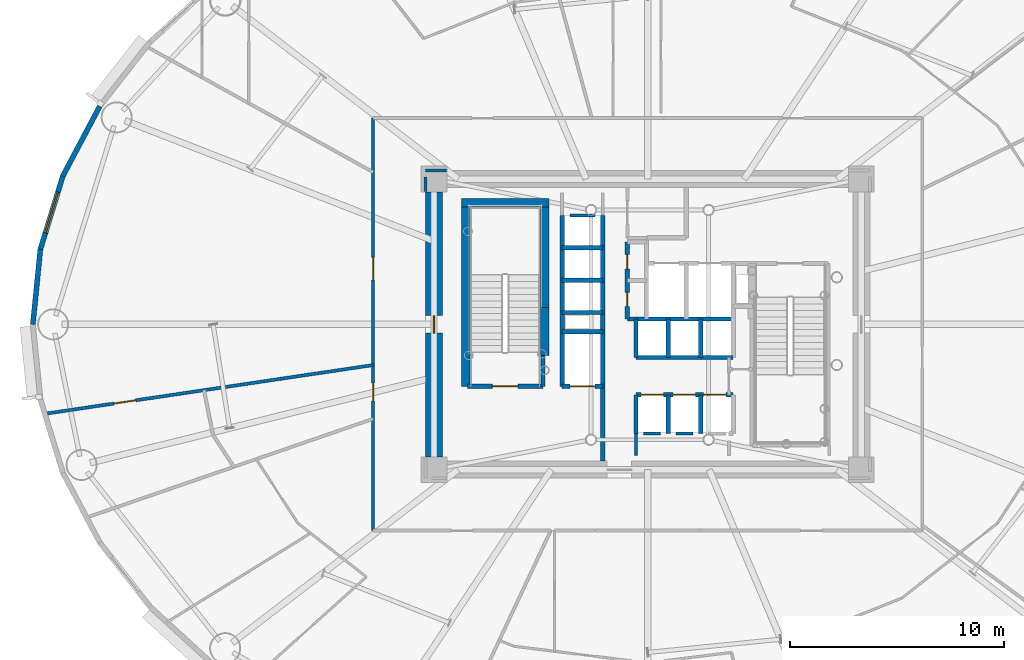
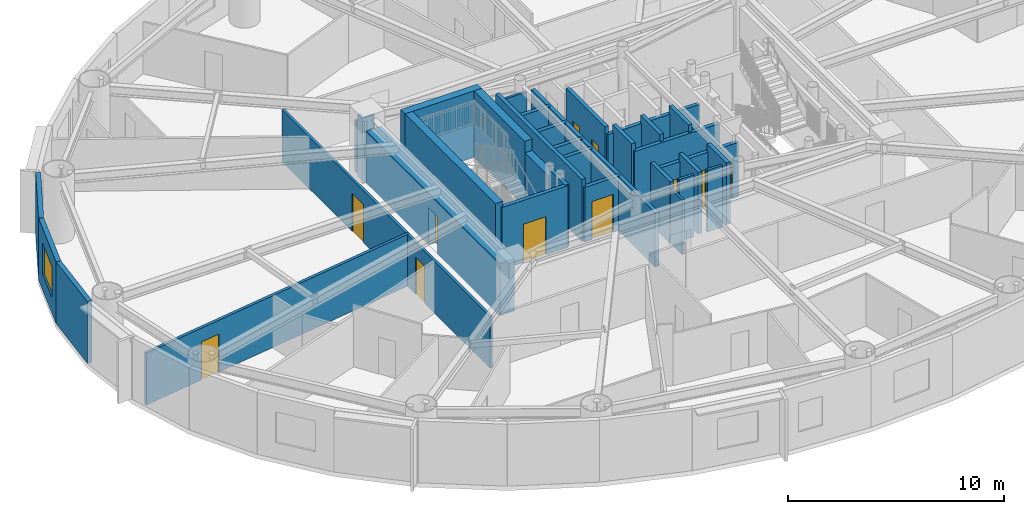
# One storey, part 12 of 21: 35 walls, 11 doors, 1 window, 12 openings.
"""IFC4 building model written with IfcOpenShell, lengths in metres."""

import ifcopenshell
import ifcopenshell.guid

model = None  # the IFC model being written
_history = None  # IfcOwnerHistory: only IFC2X3 demands one
_inside = {}  # id of a spatial element -> (the spatial element, [elements in it])
_under = {}  # id of a project, library or spatial element -> (it, [spatial elements below it])
_declared = {}  # id of a project -> (the project, [libraries it declares])
_typed = {}  # id of a type object -> (the type object, [elements of that type])
_made_of = {}  # id of a material, layer set ... -> (it, [elements and type objects made of it])


def new_model(schema):
    """Start an empty IFC model of exactly this schema.

    Asked for "IFC4X3", IfcOpenShell would pick the latest addendum, in which some entities
    have other attributes; the version numbers below select the first issue.
    IFC2X3 requires an IfcOwnerHistory on every rooted entity: one is made here for all.
    """
    global model, _history
    if schema == "IFC4X3":
        model = ifcopenshell.file(schema_version=(4, 3, 0, 0))
    else:
        model = ifcopenshell.file(schema=schema)
    _inside.clear()
    _under.clear()
    _declared.clear()
    _typed.clear()
    _made_of.clear()
    _history = None
    if model.schema == "IFC2X3":
        org = make("IfcOrganization", Name="unknown")
        user = make(
            "IfcPersonAndOrganization",
            ThePerson=make("IfcPerson", FamilyName="unknown"),
            TheOrganization=org,
        )
        app = make(
            "IfcApplication",
            ApplicationDeveloper=org,
            Version="unknown",
            ApplicationFullName="unknown",
            ApplicationIdentifier="unknown",
        )
        _history = make(
            "IfcOwnerHistory",
            OwningUser=user,
            OwningApplication=app,
            ChangeAction="ADDED",
            CreationDate=0,
        )
    return model


def make(cls, **values):
    """One entity of the class cls with the attributes given. An attribute that is None is left unset."""
    return model.create_entity(
        cls, **{name: value for name, value in values.items() if value is not None}
    )


def rooted(cls, **values):
    """An entity with a GlobalId (a new one), such as an element, a storey or a relation."""
    return make(cls, GlobalId=ifcopenshell.guid.new(), OwnerHistory=_history, **values)


def si_unit(unit_type, name, prefix=None):
    """IfcSIUnit, for example si_unit("LENGTHUNIT", "METRE", prefix="MILLI")."""
    return make("IfcSIUnit", UnitType=unit_type, Prefix=prefix, Name=name)


def assignment(units):
    """IfcUnitAssignment: the units of a project."""
    return None if units is None else make("IfcUnitAssignment", Units=units)


def point(xyz):
    """IfcCartesianPoint."""
    return None if xyz is None else make("IfcCartesianPoint", Coordinates=xyz)


def direction(xyz):
    """IfcDirection."""
    return None if xyz is None else make("IfcDirection", DirectionRatios=xyz)


def frame(location, z_axis=None, x_axis=None):
    """IfcAxis2Placement3D, a coordinate frame: its origin and axes. An axis left out is left unset."""
    return make(
        "IfcAxis2Placement3D",
        Location=point(location),
        Axis=direction(z_axis),
        RefDirection=direction(x_axis),
    )


def frame_2d(location, x_axis=None):
    """IfcAxis2Placement2D, a coordinate frame in the plane: its origin and x axis."""
    return make(
        "IfcAxis2Placement2D", Location=point(location), RefDirection=direction(x_axis)
    )


def origin():
    """The frame at (0, 0, 0) with its axes left unset."""
    return frame((0.0, 0.0, 0.0))


def origin_2d():
    """The frame at (0, 0) in the plane with its x axis left unset."""
    return frame_2d((0.0, 0.0))


def place(relative_to, where):
    """IfcLocalPlacement: puts the frame where relative to a parent placement (None: the world)."""
    return make(
        "IfcLocalPlacement", PlacementRelTo=relative_to, RelativePlacement=where
    )


def context(
    kind, dimensions, precision=None, world=None, true_north=None, identifier=None
):
    """IfcGeometricRepresentationContext, for example the 3D "Model" context."""
    return make(
        "IfcGeometricRepresentationContext",
        ContextIdentifier=identifier,
        ContextType=kind,
        CoordinateSpaceDimension=dimensions,
        Precision=precision,
        WorldCoordinateSystem=world,
        TrueNorth=true_north,
    )


def subcontext(parent, identifier, kind, view, scale=None):
    """IfcGeometricRepresentationSubContext, for example "Body" below "Model"."""
    return make(
        "IfcGeometricRepresentationSubContext",
        ContextIdentifier=identifier,
        ContextType=kind,
        ParentContext=parent,
        TargetScale=scale,
        TargetView=view,
    )


def project(units=None, contexts=None):
    """IfcProject with its units and contexts."""
    return rooted(
        "IfcProject",
        Name="project",
        RepresentationContexts=contexts,
        UnitsInContext=assignment(units),
    )


def spatial(cls, under=None, at=None, **own):
    """A site, building, storey or space (cls), placed at a placement, below another one or the project."""
    s = rooted(cls, ObjectPlacement=at, **own)
    if under is not None:
        _under.setdefault(under.id(), (under, []))[1].append(s)
    return s


def profile(cls, at=None, kind="AREA", **sizes):
    """A parametric profile (cls). Its sizes go by their IFC names, for example OverallWidth=200.0."""
    return make(cls, ProfileType=kind, Position=at, **sizes)


def rectangle(**sizes):
    """IfcRectangleProfileDef."""
    return profile("IfcRectangleProfileDef", **sizes)


def extrude(swept, where, along, depth):
    """IfcExtrudedAreaSolid: the profile swept, set in the frame where, extruded along a direction by depth."""
    return make(
        "IfcExtrudedAreaSolid",
        SweptArea=swept,
        Position=where,
        ExtrudedDirection=direction(along),
        Depth=depth,
    )


def shape(context_of_items, identifier, shape_type, items):
    """IfcShapeRepresentation: the items that make up one representation, for example the "Body"."""
    return make(
        "IfcShapeRepresentation",
        ContextOfItems=context_of_items,
        RepresentationIdentifier=identifier,
        RepresentationType=shape_type,
        Items=items,
    )


def source(mapping_origin, context_of_items, identifier, shape_type, items):
    """IfcRepresentationMap: a shape defined once, which mapped items show again and again."""
    return make(
        "IfcRepresentationMap",
        MappingOrigin=mapping_origin,
        MappedRepresentation=shape(context_of_items, identifier, shape_type, items),
    )


def transform(
    local_origin,
    x_axis=None,
    y_axis=None,
    z_axis=None,
    scale=None,
    scale2=None,
    scale3=None,
    uniform=True,
):
    """IfcCartesianTransformationOperator3D, or its non-uniform kind. x_axis, y_axis, z_axis: its Axis1, 2, 3."""
    if uniform:
        return make(
            "IfcCartesianTransformationOperator3D",
            Axis1=direction(x_axis),
            Axis2=direction(y_axis),
            LocalOrigin=point(local_origin),
            Scale=scale,
            Axis3=direction(z_axis),
        )
    return make(
        "IfcCartesianTransformationOperator3DnonUniform",
        Axis1=direction(x_axis),
        Axis2=direction(y_axis),
        LocalOrigin=point(local_origin),
        Scale=scale,
        Axis3=direction(z_axis),
        Scale2=scale2,
        Scale3=scale3,
    )


def mapped(mapping_source, mapping_target):
    """IfcMappedItem: shows the shape of a source again, moved by a transform."""
    return make(
        "IfcMappedItem", MappingSource=mapping_source, MappingTarget=mapping_target
    )


def material(Name=None, Category=None):
    """IfcMaterial."""
    return make("IfcMaterial", Name=Name, Category=Category)


def layer(
    of_material, thickness, ventilated=None, Name=None, Category=None, Priority=None
):
    """IfcMaterialLayer: one layer of a wall or slab, of a material (None: an air gap)."""
    return make(
        "IfcMaterialLayer",
        Material=of_material,
        LayerThickness=thickness,
        IsVentilated=ventilated,
        Name=Name,
        Category=Category,
        Priority=Priority,
    )


def layer_set(layers, Name=None):
    """IfcMaterialLayerSet."""
    return make("IfcMaterialLayerSet", MaterialLayers=layers, LayerSetName=Name)


def made_of(thing, what):
    """Note that an element or type object is made of a material, layer set ...; save() writes the relation."""
    if what is not None:
        _made_of.setdefault(what.id(), (what, []))[1].append(thing)
    return thing


def type_object(cls, material=None, **own):
    """A type object (cls), such as IfcWallType, which elements share."""
    return made_of(rooted(cls, **own), material)


def element(
    cls,
    number,
    at=None,
    inside=None,
    cuts=None,
    type_object=None,
    material=None,
    context=None,
    identifier="Body",
    shape_type=None,
    held_by="IfcProductDefinitionShape",
    body=None,
    shapes=None,
    **own,
):
    """One element of the class cls, such as IfcWall. Its Tag is "e" and its number.

    at: its placement. inside: the storey or other place that contains it. cuts: it is an
    opening in that element (IfcRelVoidsElement). A single representation is given by context,
    identifier, shape_type and body (its items); several are given by shapes. held_by: the class
    of the entity that holds the representations. save() writes the other relations.
    """
    e = rooted(cls, Tag="e%d" % number, ObjectPlacement=at, **own)
    if body is not None:
        shapes = [shape(context, identifier, shape_type, body)]
    if shapes is not None:
        e.Representation = make(held_by, Representations=shapes)
    if inside is not None:
        _inside.setdefault(inside.id(), (inside, []))[1].append(e)
    if cuts is not None:
        rooted(
            "IfcRelVoidsElement", RelatingBuildingElement=cuts, RelatedOpeningElement=e
        )
    if type_object is not None:
        _typed.setdefault(type_object.id(), (type_object, []))[1].append(e)
    return made_of(e, material)


def fill(opening, filler):
    """IfcRelFillsElement: the door or window that sits in an opening."""
    return rooted(
        "IfcRelFillsElement",
        RelatingOpeningElement=opening,
        RelatedBuildingElement=filler,
    )


def aggregate(whole, parts):
    """IfcRelAggregates: a whole, such as a stair, and the parts it consists of."""
    return rooted("IfcRelAggregates", RelatingObject=whole, RelatedObjects=parts)


def save(model, path):
    """Write the relations noted so far, then the file.

    IfcRelAggregates (storeys below a building ...), IfcRelContainedInSpatialStructure (elements
    in a storey), IfcRelDefinesByType, IfcRelAssociatesMaterial and IfcRelDeclares: one each for
    every whole, place, type object, material and project.
    """
    for whole, parts in _under.values():
        aggregate(whole, parts)
    for where, things in _inside.values():
        rooted(
            "IfcRelContainedInSpatialStructure",
            RelatedElements=things,
            RelatingStructure=where,
        )
    for kind, things in _typed.values():
        rooted("IfcRelDefinesByType", RelatedObjects=things, RelatingType=kind)
    for what, things in _made_of.values():
        rooted("IfcRelAssociatesMaterial", RelatedObjects=things, RelatingMaterial=what)
    for by, libraries in _declared.values():
        rooted("IfcRelDeclares", RelatingContext=by, RelatedDefinitions=libraries)
    model.write(path)


model = new_model("IFC4")

# Units and contexts
model_context = context("Model", 3, precision=1e-05, world=origin(), true_north=direction((0.0, 1.0)))
body_context = subcontext(model_context, "Body", "Model", "MODEL_VIEW")
ifc_project = project(units=[si_unit("LENGTHUNIT", "METRE"), si_unit("AREAUNIT", "SQUARE_METRE"), si_unit("VOLUMEUNIT", "CUBIC_METRE"), si_unit("PLANEANGLEUNIT", "RADIAN"), si_unit("MASSUNIT", "GRAM", prefix="KILO")], contexts=[model_context])

# Site, building, storey
site_placement = place(None, origin())
site = spatial("IfcSite", under=ifc_project, at=site_placement, CompositionType="ELEMENT")
building_placement = place(site_placement, origin())
building = spatial("IfcBuilding", under=site, at=building_placement, Name="Linh Dai School and Residence Tower", CompositionType="ELEMENT")
storey_placement = place(building_placement, frame((0.0, 0.0, 134.699951171875)))
storey = spatial("IfcBuildingStorey", under=building, at=storey_placement, Name="L32", CompositionType="ELEMENT", Elevation=134.699951171875)

# Wall
ifc_material_1 = material(Name="Precast Concrete B45 (C35/45)", Category="concrete")
ifc_layer_1 = layer(ifc_material_1, 0.239990234375)
ifc_layer_set_1 = layer_set([ifc_layer_1], Name="Precast Concrete B45 (C35/45)")
wall_type_1 = type_object("IfcWallType", Name="EW-TC-240", PredefinedType="SOLIDWALL", material=ifc_layer_set_1)
wall_1_placement = place(storey_placement, frame((8.6298828125, 33.945068359375, 0.0), z_axis=(0.0, 0.0, 1.0), x_axis=(0.467614004126, 0.883932770716, 0.0)))
element("IfcWall", 1, at=wall_1_placement, inside=storey, type_object=wall_type_1, Name="L32 Terracotta Exterior Wall 18", PredefinedType="SOLIDWALL", context=body_context, shape_type="SweptSolid", body=[
    extrude(rectangle(XDim=3.688720703125, YDim=0.239990234375, at=frame_2d((1.84423828125, 0.0))), origin(), (0.0, 0.0, 1.0), 3.5),
])

# Wall, opening, window
wall_2_placement = place(storey_placement, frame((7.578369140625, 30.515380859375, 0.0), z_axis=(0.0, 0.0, 1.0), x_axis=(0.293124431344, 0.956074300329, 0.0)))
wall_2 = element("IfcWall", 2, at=wall_2_placement, inside=storey, type_object=wall_type_1, Name="L32 Terracotta Exterior Wall 19", PredefinedType="SOLIDWALL", context=body_context, shape_type="SweptSolid", body=[
    extrude(rectangle(XDim=3.587158203125, YDim=0.239990234375, at=frame_2d((1.79345703125, 0.0))), origin(), (0.0, 0.0, 1.0), 3.5),
])
opening_1_placement = place(wall_2_placement, frame((0.793701171875, 0.0, 0.89990234375)))
opening_1 = element("IfcOpeningElement", 3, at=opening_1_placement, cuts=wall_2, Name="Opening W1", PredefinedType="OPENING", context=body_context, shape_type="SweptSolid", body=[
    extrude(rectangle(XDim=2.0, YDim=1.75, at=origin_2d()), frame((1.0, 0.1298828125, 0.875), z_axis=(0.0, -1.0, 0.0), x_axis=(1.0, 0.0, 0.0)), (0.0, 0.0, 1.0), 0.260009765625),
])
ifc_material_2 = material(Name="Double Low-E Insulated Glazing", Category="glass")
window_type = type_object("IfcWindowType", Name="WN-RES-2000x1750", PartitioningType="DOUBLE_PANEL_VERTICAL", PredefinedType="WINDOW", material=ifc_material_2)
shared_shape_1 = source(origin(), body_context, "Body", "SweptSolid", [
    extrude(rectangle(XDim=2.0, YDim=1.75, at=origin_2d()), frame((1.0, 0.030029296875, 0.875), z_axis=(0.0, -1.0, 0.0), x_axis=(1.0, 0.0, 0.0)), (0.0, 0.0, 1.0), 0.06005859375),
])
window_placement = place(opening_1_placement, origin())
window = element("IfcWindow", 4, at=window_placement, inside=storey, type_object=window_type, Name="L32 Exterior Window 19.1", OverallHeight=1.75, OverallWidth=2.0, PartitioningType="DOUBLE_PANEL_VERTICAL", PredefinedType="WINDOW", context=body_context, shape_type="MappedRepresentation", body=[
    mapped(shared_shape_1, transform((0.0, 0.0, 0.0), x_axis=(1.0, 0.0, 0.0), y_axis=(0.0, 1.0, 0.0), z_axis=(0.0, 0.0, 1.0), scale=1.0)),
])
fill(opening_1, window)

# Wall
wall_3_placement = place(storey_placement, frame((7.22509765625, 27.0, 0.0), z_axis=(0.0, 0.0, 1.0), x_axis=(0.099989468229, 0.994988495533, 0.0)))
element("IfcWall", 5, at=wall_3_placement, inside=storey, type_object=wall_type_1, Name="L32 Terracotta Exterior Wall 20", PredefinedType="SOLIDWALL", context=body_context, shape_type="SweptSolid", body=[
    extrude(rectangle(XDim=3.533203125, YDim=0.239990234375, at=frame_2d((1.7666015625, 0.0))), origin(), (0.0, 0.0, 1.0), 3.5),
])

# Wall, openings, doors
ifc_material_3 = material(Name="Autoclaved Aerated Concrete Blockwork", Category="masonry")
ifc_layer_2 = layer(ifc_material_3, 0.135009765625)
ifc_layer_set_2 = layer_set([ifc_layer_2], Name="Autoclaved Aerated Concrete Blockwork")
wall_type_2 = type_object("IfcWallType", Name="IW-CORR-135-EI90", PredefinedType="PARTITIONING", material=ifc_layer_set_2)
wall_4_placement = place(storey_placement, frame((23.14990234375, 17.35009765625, 0.0), z_axis=(0.0, 0.0, 1.0), x_axis=(0.0, 1.0, 0.0)))
wall_4 = element("IfcWall", 6, at=wall_4_placement, inside=storey, type_object=wall_type_2, Name="L32 Interior Partition Wall 015", PredefinedType="PARTITIONING", context=body_context, shape_type="SweptSolid", body=[
    extrude(rectangle(XDim=19.2998046875, YDim=0.135009765625, at=frame_2d((9.64990234375, 0.0))), origin(), (0.0, 0.0, 1.0), 2.93505859375),
])
opening_2_placement = place(wall_4_placement, frame((11.733154296875, 0.0, 0.0)))
opening_2 = element("IfcOpeningElement", 7, at=opening_2_placement, cuts=wall_4, Name="Opening D04", PredefinedType="OPENING", context=body_context, shape_type="SweptSolid", body=[
    extrude(rectangle(XDim=1.050048828125, YDim=2.14990234375, at=origin_2d()), frame((0.52490234375, 0.07763671875, 1.074951171875), z_axis=(0.0, -1.0, 0.0), x_axis=(1.0, 0.0, 0.0)), (0.0, 0.0, 1.0), 0.155029296875),
])
opening_3_placement = place(wall_4_placement, frame((6.07421875, 0.0, 0.0)))
opening_3 = element("IfcOpeningElement", 8, at=opening_3_placement, cuts=wall_4, Name="Opening D06", PredefinedType="OPENING", context=body_context, shape_type="SweptSolid", body=[
    extrude(rectangle(XDim=0.820068359375, YDim=2.10009765625, at=origin_2d()), frame((0.41015625, 0.07763671875, 1.050048828125), z_axis=(0.0, -1.0, 0.0), x_axis=(1.0, 0.0, 0.0)), (0.0, 0.0, 1.0), 0.155029296875),
])
ifc_material_4 = material(Name="Acoustic Vision-Panel Timber Classroom Door", Category="wood")
door_type_1 = type_object("IfcDoorType", Name="DR-SCH-1050x2150-FD60S", OperationType="NOTDEFINED", PredefinedType="DOOR", material=ifc_material_4)
shared_shape_2 = source(origin(), body_context, "Body", "SweptSolid", [
    extrude(rectangle(XDim=1.050048828125, YDim=2.14990234375, at=origin_2d()), frame((0.52490234375, 0.02490234375, 1.074951171875), z_axis=(0.0, -1.0, 0.0), x_axis=(1.0, 0.0, 0.0)), (0.0, 0.0, 1.0), 0.050048828125),
])
door_1_placement = place(opening_2_placement, origin())
door_1 = element("IfcDoor", 9, at=door_1_placement, inside=storey, type_object=door_type_1, Name="L32 Fitness and Yoga Room Door", OperationType="SINGLE_SWING_LEFT", OverallHeight=2.14990234375, OverallWidth=1.050048828125, PredefinedType="DOOR", context=body_context, shape_type="MappedRepresentation", body=[
    mapped(shared_shape_2, transform((0.0, 0.0, 0.0), x_axis=(1.0, 0.0, 0.0), y_axis=(0.0, 1.0, 0.0), z_axis=(0.0, 0.0, 1.0), scale=1.0)),
])
fill(opening_2, door_1)
ifc_material_5 = material(Name="Moisture-Resistant Timber Bathroom Door", Category="wood")
door_type_2 = type_object("IfcDoorType", Name="DR-WET-820x2100", OperationType="NOTDEFINED", PredefinedType="DOOR", material=ifc_material_5)
shared_shape_3 = source(origin(), body_context, "Body", "SweptSolid", [
    extrude(rectangle(XDim=0.820068359375, YDim=2.10009765625, at=origin_2d()), frame((0.41015625, 0.02490234375, 1.050048828125), z_axis=(0.0, -1.0, 0.0), x_axis=(1.0, 0.0, 0.0)), (0.0, 0.0, 1.0), 0.050048828125),
])
door_2_placement = place(opening_3_placement, origin())
door_2 = element("IfcDoor", 10, at=door_2_placement, inside=storey, type_object=door_type_2, Name="L32 Amenity Accessible WC Door", OperationType="SINGLE_SWING_RIGHT", OverallHeight=2.10009765625, OverallWidth=0.820068359375, PredefinedType="DOOR", context=body_context, shape_type="MappedRepresentation", body=[
    mapped(shared_shape_3, transform((0.0, 0.0, 0.0), x_axis=(1.0, 0.0, 0.0), y_axis=(0.0, 1.0, 0.0), z_axis=(0.0, 0.0, 1.0), scale=1.0)),
])
fill(opening_3, door_2)

# Walls
wall_5_placement = place(storey_placement, frame((36.60009765625, 21.89990234375, 0.0), z_axis=(0.0, 0.0, 1.0), x_axis=(-1.0, 0.0, 0.0)))
element("IfcWall", 11, at=wall_5_placement, inside=storey, type_object=wall_type_2, Name="L32 Interior Partition Wall 094", PredefinedType="PARTITIONING", context=body_context, shape_type="SweptSolid", body=[
    extrude(rectangle(XDim=0.7900390625, YDim=0.135009765625, at=frame_2d((0.39501953125, 0.0))), origin(), (0.0, 0.0, 1.0), 3.5),
])
wall_6_placement = place(storey_placement, frame((38.1201171875, 21.89990234375, 0.0), z_axis=(0.0, 0.0, 1.0), x_axis=(-1.0, 0.0, 0.0)))
element("IfcWall", 12, at=wall_6_placement, inside=storey, type_object=wall_type_2, Name="L32 Interior Partition Wall 095", PredefinedType="PARTITIONING", context=body_context, shape_type="SweptSolid", body=[
    extrude(rectangle(XDim=0.800048828125, YDim=0.135009765625, at=frame_2d((0.39990234375, 0.0))), origin(), (0.0, 0.0, 1.0), 3.5),
])
wall_7_placement = place(storey_placement, frame((32.360107421875, 32.10009765625, 0.0), z_axis=(0.0, 0.0, 1.0), x_axis=(1.0, 0.0, 0.0)))
element("IfcWall", 13, at=wall_7_placement, inside=storey, type_object=wall_type_2, Name="L32 Interior Partition Wall 097", PredefinedType="PARTITIONING", context=body_context, shape_type="SweptSolid", body=[
    extrude(rectangle(XDim=1.179931640625, YDim=0.135009765625, at=frame_2d((0.58984375, 0.0))), origin(), (0.0, 0.0, 1.0), 3.0849609375),
])
wall_8_placement = place(storey_placement, frame((35.449951171875, 21.889892578125, 0.0), z_axis=(0.0, 0.0, 1.0), x_axis=(0.0, -1.0, 0.0)))
element("IfcWall", 14, at=wall_8_placement, inside=storey, type_object=wall_type_2, Name="L32 Interior Partition Wall 101", PredefinedType="PARTITIONING", context=body_context, shape_type="SweptSolid", body=[
    extrude(rectangle(XDim=1.02978515625, YDim=0.135009765625, at=frame_2d((0.514892578125, 0.0))), origin(), (0.0, 0.0, 1.0), 3.0849609375),
])
wall_9_placement = place(storey_placement, frame((26.590087890625, 34.199951171875, 0.0), z_axis=(0.0, 0.0, 1.0), x_axis=(-1.0, 0.0, 0.0)))
element("IfcWall", 15, at=wall_9_placement, inside=storey, type_object=wall_type_2, Name="L32 Interior Partition Wall 106", PredefinedType="PARTITIONING", context=body_context, shape_type="SweptSolid", body=[
    extrude(rectangle(XDim=0.989990234375, YDim=0.135009765625, at=frame_2d((0.4951171875, 0.0))), origin(), (0.0, 0.0, 1.0), 2.93505859375),
])
wall_10_placement = place(storey_placement, frame((25.60009765625, 33.892578125, 0.0), z_axis=(0.0, 0.0, 1.0), x_axis=(0.0, -1.0, 0.0)))
element("IfcWall", 16, at=wall_10_placement, inside=storey, type_object=wall_type_2, Name="L32 Interior Partition Wall 107", PredefinedType="PARTITIONING", context=body_context, shape_type="SweptSolid", body=[
    extrude(rectangle(XDim=0.6826171875, YDim=0.135009765625, at=frame_2d((0.34130859375, 0.0))), origin(), (0.0, 0.0, 1.0), 3.5),
])

# Wall, opening, door
ifc_layer_3 = layer(ifc_material_3, 0.14990234375)
ifc_layer_set_3 = layer_set([ifc_layer_3], Name="Autoclaved Aerated Concrete Blockwork")
wall_type_3 = type_object("IfcWallType", Name="IW-SCH-150-EI60", PredefinedType="PARTITIONING", material=ifc_layer_set_3)
wall_11_placement = place(storey_placement, frame((7.779296875, 22.8125, 0.0), z_axis=(0.0, 0.0, 1.0), x_axis=(0.989169524168, 0.146777561148, 0.0)))
wall_11 = element("IfcWall", 17, at=wall_11_placement, inside=storey, type_object=wall_type_3, Name="L32 Interior Partition Wall 001", PredefinedType="PARTITIONING", context=body_context, shape_type="SweptSolid", body=[
    extrude(rectangle(XDim=15.538818359375, YDim=0.14990234375, at=frame_2d((7.76953125, 0.0))), origin(), (0.0, 0.0, 1.0), 2.93505859375),
])
opening_4_placement = place(wall_11_placement, frame((3.264892578125, 0.0, 0.0)))
opening_4 = element("IfcOpeningElement", 18, at=opening_4_placement, cuts=wall_11, Name="Opening D04", PredefinedType="OPENING", context=body_context, shape_type="SweptSolid", body=[
    extrude(rectangle(XDim=1.050048828125, YDim=2.14990234375, at=origin_2d()), frame((0.52490234375, 0.0849609375, 1.074951171875), z_axis=(0.0, -1.0, 0.0), x_axis=(1.0, 0.0, 0.0)), (0.0, 0.0, 1.0), 0.169921875),
])
door_3_placement = place(opening_4_placement, origin())
door_3 = element("IfcDoor", 19, at=door_3_placement, inside=storey, type_object=door_type_1, Name="L32 Amenity Tea Salon Door", OperationType="SINGLE_SWING_LEFT", OverallHeight=2.14990234375, OverallWidth=1.050048828125, PredefinedType="DOOR", context=body_context, shape_type="MappedRepresentation", body=[
    mapped(shared_shape_2, transform((0.0, 0.0, 0.0), x_axis=(1.0, 0.0, 0.0), y_axis=(0.0, 1.0, 0.0), z_axis=(0.0, 0.0, 1.0), scale=1.0)),
])
fill(opening_4, door_3)

ifc_material_6 = material(Name="Concrete B45 (C35/45)", Category="concrete")
ifc_layer_4 = layer(ifc_material_6, 0.199951171875)
ifc_layer_set_4 = layer_set([ifc_layer_4], Name="Concrete B45 (C35/45)")
wall_type_4 = type_object("IfcWallType", Name="IW-SHAFT-200-EI120", PredefinedType="PARTITIONING", material=ifc_layer_set_4)
wall_12_placement = place(storey_placement, frame((27.56005859375, 24.10009765625, 0.0), z_axis=(0.0, 0.0, 1.0), x_axis=(1.0, 0.0, 0.0)))
wall_12 = element("IfcWall", 20, at=wall_12_placement, inside=storey, type_object=wall_type_4, Name="L32 Interior Partition Wall 020", PredefinedType="PARTITIONING", context=body_context, shape_type="SweptSolid", body=[
    extrude(rectangle(XDim=3.5400390625, YDim=0.199951171875, at=frame_2d((1.77001953125, 0.0))), origin(), (0.0, 0.0, 1.0), 3.5),
])
opening_5_placement = place(wall_12_placement, frame((1.169921875, 0.0, 0.0)))
opening_5 = element("IfcOpeningElement", 21, at=opening_5_placement, cuts=wall_12, Name="Opening D01", PredefinedType="OPENING", context=body_context, shape_type="SweptSolid", body=[
    extrude(rectangle(XDim=1.199951171875, YDim=2.14990234375, at=origin_2d()), frame((0.60009765625, 0.10986328125, 1.074951171875), z_axis=(0.0, -1.0, 0.0), x_axis=(1.0, 0.0, 0.0)), (0.0, 0.0, 1.0), 0.219970703125),
])
ifc_material_7 = material(Name="Fire-Rated Steel Door Leaf", Category="steel")
door_type_3 = type_object("IfcDoorType", Name="DR-STAIR-1200x2150-FD90S", OperationType="NOTDEFINED", PredefinedType="DOOR", material=ifc_material_7)
shared_shape_4 = source(origin(), body_context, "Body", "SweptSolid", [
    extrude(rectangle(XDim=1.199951171875, YDim=2.14990234375, at=origin_2d()), frame((0.60009765625, 0.02490234375, 1.074951171875), z_axis=(0.0, -1.0, 0.0), x_axis=(1.0, 0.0, 0.0)), (0.0, 0.0, 1.0), 0.050048828125),
])
door_4_placement = place(opening_5_placement, origin())
door_4 = element("IfcDoor", 22, at=door_4_placement, inside=storey, type_object=door_type_3, Name="L32 Core Smokeproof Exit Stair ST1 Door", OperationType="SINGLE_SWING_LEFT", OverallHeight=2.14990234375, OverallWidth=1.199951171875, PredefinedType="DOOR", context=body_context, shape_type="MappedRepresentation", body=[
    mapped(shared_shape_4, transform((0.0, 0.0, 0.0), x_axis=(1.0, 0.0, 0.0), y_axis=(0.0, 1.0, 0.0), z_axis=(0.0, 0.0, 1.0), scale=1.0)),
])
fill(opening_5, door_4)

# Walls
wall_13_placement = place(storey_placement, frame((31.10009765625, 24.10009765625, 0.0), z_axis=(0.0, 0.0, 1.0), x_axis=(0.0, 1.0, 0.0)))
element("IfcWall", 23, at=wall_13_placement, inside=storey, type_object=wall_type_4, Name="L32 Interior Partition Wall 025", PredefinedType="PARTITIONING", context=body_context, shape_type="SweptSolid", body=[
    extrude(rectangle(XDim=1.43994140625, YDim=0.199951171875, at=frame_2d((0.719970703125, 0.0))), origin(), (0.0, 0.0, 1.0), 3.5),
])
wall_14_placement = place(storey_placement, frame((32.0, 24.10009765625, 0.0), z_axis=(0.0, 0.0, 1.0), x_axis=(0.0, 1.0, 0.0)))
element("IfcWall", 24, at=wall_14_placement, inside=storey, type_object=wall_type_4, Name="L32 Interior Partition Wall 028", PredefinedType="PARTITIONING", context=body_context, shape_type="SweptSolid", body=[
    extrude(rectangle(XDim=8.0, YDim=0.199951171875, at=frame_2d((4.0, 0.0))), origin(), (0.0, 0.0, 1.0), 3.5),
])

# Wall, opening, door
wall_15_placement = place(storey_placement, frame((32.0, 24.10009765625, 0.0), z_axis=(0.0, 0.0, 1.0), x_axis=(1.0, 0.0, 0.0)))
wall_15 = element("IfcWall", 25, at=wall_15_placement, inside=storey, type_object=wall_type_4, Name="L32 Interior Partition Wall 029", PredefinedType="PARTITIONING", context=body_context, shape_type="SweptSolid", body=[
    extrude(rectangle(XDim=1.89990234375, YDim=0.199951171875, at=frame_2d((0.949951171875, 0.0))), origin(), (0.0, 0.0, 1.0), 3.0849609375),
])
opening_6_placement = place(wall_15_placement, frame((0.375, 0.0, 0.0)))
opening_6 = element("IfcOpeningElement", 26, at=opening_6_placement, cuts=wall_15, Name="Opening LD-FF2", PredefinedType="OPENING", context=body_context, shape_type="SweptSolid", body=[
    extrude(rectangle(XDim=1.14990234375, YDim=2.14990234375, at=origin_2d()), frame((0.574951171875, 0.10986328125, 1.074951171875), z_axis=(0.0, -1.0, 0.0), x_axis=(1.0, 0.0, 0.0)), (0.0, 0.0, 1.0), 0.219970703125),
])
ifc_material_8 = material(Name="Fire-Rated Stainless Steel Firefighting Lift Door", Category="steel")
door_type_4 = type_object("IfcDoorType", Name="DR-LD-FF-1150x2150-FD120", OperationType="DOUBLE_DOOR_SLIDING", PredefinedType="USERDEFINED", material=ifc_material_8)
shared_shape_5 = source(origin(), body_context, "Body", "SweptSolid", [
    extrude(rectangle(XDim=1.14990234375, YDim=2.14990234375, at=origin_2d()), frame((0.574951171875, 0.02490234375, 1.074951171875), z_axis=(0.0, -1.0, 0.0), x_axis=(1.0, 0.0, 0.0)), (0.0, 0.0, 1.0), 0.050048828125),
])
door_5_placement = place(opening_6_placement, origin())
door_5 = element("IfcDoor", 27, at=door_5_placement, inside=storey, type_object=door_type_4, Name="L32 Lift FF2 Sliding Landing Door", ObjectType="LANDING DOOR", OperationType="DOUBLE_DOOR_SLIDING", OverallHeight=2.14990234375, OverallWidth=1.14990234375, PredefinedType="USERDEFINED", context=body_context, shape_type="MappedRepresentation", body=[
    mapped(shared_shape_5, transform((0.0, 0.0, 0.0), x_axis=(1.0, 0.0, 0.0), y_axis=(0.0, 1.0, 0.0), z_axis=(0.0, 0.0, 1.0), scale=1.0)),
])
fill(opening_6, door_5)

# Walls
for number, where, z_axis, x_axis, name in (
    (28, (32.0, 26.64990234375, 0.0), (0.0, 0.0, 1.0), (1.0, 0.0, 0.0), "L32 Interior Partition Wall 030"),
    (29, (32.0, 27.550048828125, 0.0), (0.0, 0.0, 1.0), (1.0, 0.0, 0.0), "L32 Interior Partition Wall 031"),
    (30, (32.0, 29.06005859375, 0.0), (0.0, 0.0, 1.0), (1.0, 0.0, 0.0), "L32 Interior Partition Wall 032"),
    (31, (32.0, 30.580078125, 0.0), (0.0, 0.0, 1.0), (1.0, 0.0, 0.0), "L32 Interior Partition Wall 033"),
):
    element("IfcWall", number, at=place(storey_placement, frame(where, z_axis=z_axis, x_axis=x_axis)), inside=storey, type_object=wall_type_4, Name=name, PredefinedType="PARTITIONING", context=body_context, shape_type="SweptSolid", body=[
        extrude(rectangle(XDim=1.89990234375, YDim=0.199951171875, at=frame_2d((0.949951171875, 0.0))), origin(), (0.0, 0.0, 1.0), 3.0849609375),
    ])
wall_16_placement = place(storey_placement, frame((33.89990234375, 20.60009765625, 0.0), z_axis=(0.0, 0.0, 1.0), x_axis=(0.0, 1.0, 0.0)))
element("IfcWall", 32, at=wall_16_placement, inside=storey, type_object=wall_type_4, Name="L32 Interior Partition Wall 035", PredefinedType="PARTITIONING", context=body_context, shape_type="SweptSolid", body=[
    extrude(rectangle(XDim=11.5, YDim=0.199951171875, at=frame_2d((5.75, 0.0))), origin(), (0.0, 0.0, 1.0), 3.0849609375),
])

# Wall, openings, doors
wall_17_placement = place(storey_placement, frame((35.050048828125, 27.25, 0.0), z_axis=(0.0, 0.0, 1.0), x_axis=(0.0, 1.0, 0.0)))
wall_17 = element("IfcWall", 33, at=wall_17_placement, inside=storey, type_object=wall_type_4, Name="L32 Interior Partition Wall 037", PredefinedType="PARTITIONING", context=body_context, shape_type="SweptSolid", body=[
    extrude(rectangle(XDim=3.60009765625, YDim=0.199951171875, at=frame_2d((1.800048828125, 0.0))), origin(), (0.0, 0.0, 1.0), 3.5),
])
opening_7_placement = place(wall_17_placement, frame((0.590087890625, 0.0, 0.0)))
opening_7 = element("IfcOpeningElement", 34, at=opening_7_placement, cuts=wall_17, Name="Opening AD1", PredefinedType="OPENING", context=body_context, shape_type="SweptSolid", body=[
    extrude(rectangle(XDim=0.659912109375, YDim=2.050048828125, at=origin_2d()), frame((0.330078125, 0.10986328125, 1.02490234375), z_axis=(0.0, -1.0, 0.0), x_axis=(1.0, 0.0, 0.0)), (0.0, 0.0, 1.0), 0.219970703125),
])
opening_8_placement = place(wall_17_placement, frame((2.35009765625, 0.0, 0.0)))
opening_8 = element("IfcOpeningElement", 35, at=opening_8_placement, cuts=wall_17, Name="Opening AD1", PredefinedType="OPENING", context=body_context, shape_type="SweptSolid", body=[
    extrude(rectangle(XDim=0.659912109375, YDim=2.050048828125, at=origin_2d()), frame((0.330078125, 0.10986328125, 1.02490234375), z_axis=(0.0, -1.0, 0.0), x_axis=(1.0, 0.0, 0.0)), (0.0, 0.0, 1.0), 0.219970703125),
])
ifc_material_9 = material(Name="Fire-Rated Steel Riser Access Door", Category="steel")
door_type_5 = type_object("IfcDoorType", Name="DR-ACC-660x2050-FD90S", OperationType="NOTDEFINED", PredefinedType="USERDEFINED", material=ifc_material_9)
shared_shape_6 = source(origin(), body_context, "Body", "SweptSolid", [
    extrude(rectangle(XDim=0.659912109375, YDim=2.050048828125, at=origin_2d()), frame((0.330078125, 0.02490234375, 1.02490234375), z_axis=(0.0, -1.0, 0.0), x_axis=(1.0, 0.0, 0.0)), (0.0, 0.0, 1.0), 0.050048828125),
])
door_6_placement = place(opening_7_placement, origin())
door_6 = element("IfcDoor", 36, at=door_6_placement, inside=storey, type_object=door_type_5, Name="L32 Telecom and Data Riser Access Door", ObjectType="ACCESS DOOR", OperationType="SINGLE_SWING_RIGHT", OverallHeight=2.050048828125, OverallWidth=0.659912109375, PredefinedType="USERDEFINED", context=body_context, shape_type="MappedRepresentation", body=[
    mapped(shared_shape_6, transform((0.0, 0.0, 0.0), x_axis=(1.0, 0.0, 0.0), y_axis=(0.0, 1.0, 0.0), z_axis=(0.0, 0.0, 1.0), scale=1.0)),
])
fill(opening_7, door_6)
door_7_placement = place(opening_8_placement, origin())
door_7 = element("IfcDoor", 37, at=door_7_placement, inside=storey, type_object=door_type_5, Name="L32 Mechanical and Plumbing Riser Access Door", ObjectType="ACCESS DOOR", OperationType="SINGLE_SWING_LEFT", OverallHeight=2.050048828125, OverallWidth=0.659912109375, PredefinedType="USERDEFINED", context=body_context, shape_type="MappedRepresentation", body=[
    mapped(shared_shape_6, transform((0.0, 0.0, 0.0), x_axis=(1.0, 0.0, 0.0), y_axis=(0.0, 1.0, 0.0), z_axis=(0.0, 0.0, 1.0), scale=1.0)),
])
fill(opening_8, door_7)

# Walls
wall_18_placement = place(storey_placement, frame((35.050048828125, 27.25, 0.0), z_axis=(0.0, 0.0, 1.0), x_axis=(1.0, 0.0, 0.0)))
element("IfcWall", 38, at=wall_18_placement, inside=storey, type_object=wall_type_4, Name="L32 Interior Partition Wall 038", PredefinedType="PARTITIONING", context=body_context, shape_type="SweptSolid", body=[
    extrude(rectangle(XDim=4.949951171875, YDim=0.199951171875, at=frame_2d((2.47509765625, 0.0))), origin(), (0.0, 0.0, 1.0), 3.0849609375),
])
wall_19_placement = place(storey_placement, frame((35.449951171875, 21.89990234375, 0.0), z_axis=(0.0, 0.0, 1.0), x_axis=(0.0, 1.0, 0.0)))
element("IfcWall", 39, at=wall_19_placement, inside=storey, type_object=wall_type_4, Name="L32 Interior Partition Wall 043", PredefinedType="PARTITIONING", context=body_context, shape_type="SweptSolid", body=[
    extrude(rectangle(XDim=1.800048828125, YDim=0.199951171875, at=frame_2d((0.89990234375, 0.0))), origin(), (0.0, 0.0, 1.0), 3.5),
])

# Wall, openings, doors
wall_20_placement = place(storey_placement, frame((35.449951171875, 23.699951171875, 0.0), z_axis=(0.0, 0.0, 1.0), x_axis=(1.0, 0.0, 0.0)))
wall_20 = element("IfcWall", 40, at=wall_20_placement, inside=storey, type_object=wall_type_4, Name="L32 Interior Partition Wall 044", PredefinedType="PARTITIONING", context=body_context, shape_type="SweptSolid", body=[
    extrude(rectangle(XDim=4.550048828125, YDim=0.199951171875, at=frame_2d((2.27490234375, 0.0))), origin(), (0.0, 0.0, 1.0), 3.0849609375),
])
opening_9_placement = place(wall_20_placement, frame((0.25, 0.0, 0.0)))
opening_9 = element("IfcOpeningElement", 41, at=opening_9_placement, cuts=wall_20, Name="Opening LD-PL1", PredefinedType="OPENING", context=body_context, shape_type="SweptSolid", body=[
    extrude(rectangle(XDim=1.050048828125, YDim=2.14990234375, at=origin_2d()), frame((0.52490234375, 0.10986328125, 1.074951171875), z_axis=(0.0, -1.0, 0.0), x_axis=(1.0, 0.0, 0.0)), (0.0, 0.0, 1.0), 0.219970703125),
])
opening_10_placement = place(wall_20_placement, frame((1.7451171875, 0.0, 0.0)))
opening_10 = element("IfcOpeningElement", 42, at=opening_10_placement, cuts=wall_20, Name="Opening LD-PL2", PredefinedType="OPENING", context=body_context, shape_type="SweptSolid", body=[
    extrude(rectangle(XDim=1.050048828125, YDim=2.14990234375, at=origin_2d()), frame((0.52490234375, 0.10986328125, 1.074951171875), z_axis=(0.0, -1.0, 0.0), x_axis=(1.0, 0.0, 0.0)), (0.0, 0.0, 1.0), 0.219970703125),
])
opening_11_placement = place(wall_20_placement, frame((3.1650390625, 0.0, 0.0)))
opening_11 = element("IfcOpeningElement", 43, at=opening_11_placement, cuts=wall_20, Name="Opening LD-PL3", PredefinedType="OPENING", context=body_context, shape_type="SweptSolid", body=[
    extrude(rectangle(XDim=1.050048828125, YDim=2.14990234375, at=origin_2d()), frame((0.52490234375, 0.10986328125, 1.074951171875), z_axis=(0.0, -1.0, 0.0), x_axis=(1.0, 0.0, 0.0)), (0.0, 0.0, 1.0), 0.219970703125),
])
ifc_material_10 = material(Name="Brushed Stainless Steel Lift Landing Door", Category="steel")
door_type_6 = type_object("IfcDoorType", Name="DR-LD-PASS-1050x2150", OperationType="DOUBLE_DOOR_SLIDING", PredefinedType="USERDEFINED", material=ifc_material_10)
shared_shape_7 = source(origin(), body_context, "Body", "SweptSolid", [
    extrude(rectangle(XDim=1.050048828125, YDim=2.14990234375, at=origin_2d()), frame((0.52490234375, 0.02490234375, 1.074951171875), z_axis=(0.0, -1.0, 0.0), x_axis=(1.0, 0.0, 0.0)), (0.0, 0.0, 1.0), 0.050048828125),
])
door_8_placement = place(opening_9_placement, origin())
door_8 = element("IfcDoor", 44, at=door_8_placement, inside=storey, type_object=door_type_6, Name="L32 Lift PL1 Sliding Landing Door", ObjectType="LANDING DOOR", OperationType="DOUBLE_DOOR_SLIDING", OverallHeight=2.14990234375, OverallWidth=1.050048828125, PredefinedType="USERDEFINED", context=body_context, shape_type="MappedRepresentation", body=[
    mapped(shared_shape_7, transform((0.0, 0.0, 0.0), x_axis=(1.0, 0.0, 0.0), y_axis=(0.0, 1.0, 0.0), z_axis=(0.0, 0.0, 1.0), scale=1.0)),
])
fill(opening_9, door_8)
door_9_placement = place(opening_10_placement, origin())
door_9 = element("IfcDoor", 45, at=door_9_placement, inside=storey, type_object=door_type_6, Name="L32 Lift PL2 Sliding Landing Door", ObjectType="LANDING DOOR", OperationType="DOUBLE_DOOR_SLIDING", OverallHeight=2.14990234375, OverallWidth=1.050048828125, PredefinedType="USERDEFINED", context=body_context, shape_type="MappedRepresentation", body=[
    mapped(shared_shape_7, transform((0.0, 0.0, 0.0), x_axis=(1.0, 0.0, 0.0), y_axis=(0.0, 1.0, 0.0), z_axis=(0.0, 0.0, 1.0), scale=1.0)),
])
fill(opening_10, door_9)
door_10_placement = place(opening_11_placement, origin())
door_10 = element("IfcDoor", 46, at=door_10_placement, inside=storey, type_object=door_type_6, Name="L32 Lift PL3 Sliding Landing Door", ObjectType="LANDING DOOR", OperationType="DOUBLE_DOOR_SLIDING", OverallHeight=2.14990234375, OverallWidth=1.050048828125, PredefinedType="USERDEFINED", context=body_context, shape_type="MappedRepresentation", body=[
    mapped(shared_shape_7, transform((0.0, 0.0, 0.0), x_axis=(1.0, 0.0, 0.0), y_axis=(0.0, 1.0, 0.0), z_axis=(0.0, 0.0, 1.0), scale=1.0)),
])
fill(opening_11, door_10)

# Walls
wall_21_placement = place(storey_placement, frame((35.449951171875, 25.449951171875, 0.0), z_axis=(0.0, 0.0, 1.0), x_axis=(0.0, 1.0, 0.0)))
element("IfcWall", 47, at=wall_21_placement, inside=storey, type_object=wall_type_4, Name="L32 Interior Partition Wall 045", PredefinedType="PARTITIONING", context=body_context, shape_type="SweptSolid", body=[
    extrude(rectangle(XDim=1.800048828125, YDim=0.199951171875, at=frame_2d((0.89990234375, 0.0))), origin(), (0.0, 0.0, 1.0), 3.5),
])
wall_22_placement = place(storey_placement, frame((35.449951171875, 25.449951171875, 0.0), z_axis=(0.0, 0.0, 1.0), x_axis=(1.0, 0.0, 0.0)))
element("IfcWall", 48, at=wall_22_placement, inside=storey, type_object=wall_type_4, Name="L32 Interior Partition Wall 046", PredefinedType="PARTITIONING", context=body_context, shape_type="SweptSolid", body=[
    extrude(rectangle(XDim=4.550048828125, YDim=0.199951171875, at=frame_2d((2.27490234375, 0.0))), origin(), (0.0, 0.0, 1.0), 3.0849609375),
])
for number, where, z_axis, x_axis, name in (
    (49, (36.9599609375, 21.89990234375, 0.0), (0.0, 0.0, 1.0), (0.0, 1.0, 0.0), "L32 Interior Partition Wall 054"),
    (50, (36.9599609375, 25.449951171875, 0.0), (0.0, 0.0, 1.0), (0.0, 1.0, 0.0), "L32 Interior Partition Wall 055"),
    (51, (38.47998046875, 21.89990234375, 0.0), (0.0, 0.0, 1.0), (0.0, 1.0, 0.0), "L32 Interior Partition Wall 060"),
    (52, (38.47998046875, 25.449951171875, 0.0), (0.0, 0.0, 1.0), (0.0, 1.0, 0.0), "L32 Interior Partition Wall 061"),
):
    element("IfcWall", number, at=place(storey_placement, frame(where, z_axis=z_axis, x_axis=x_axis)), inside=storey, type_object=wall_type_4, Name=name, PredefinedType="PARTITIONING", context=body_context, shape_type="SweptSolid", body=[
        extrude(rectangle(XDim=1.800048828125, YDim=0.199951171875, at=frame_2d((0.89990234375, 0.0))), origin(), (0.0, 0.0, 1.0), 3.5),
    ])
ifc_layer_5 = layer(ifc_material_6, 0.39990234375)
ifc_layer_set_5 = layer_set([ifc_layer_5], Name="Concrete B45 (C35/45)")
wall_type_5 = type_object("IfcWallType", Name="WL-CORE400", PredefinedType="SHEAR", material=ifc_layer_set_5)
wall_23_placement = place(storey_placement, frame((27.47998046875, 24.10009765625, 0.0), z_axis=(0.0, 0.0, 1.0), x_axis=(0.0, 1.0, 0.0)))
element("IfcWall", 53, at=wall_23_placement, inside=storey, type_object=wall_type_5, Name="L32 Core Stair ST1 Bearing Wall W", PredefinedType="SHEAR", context=body_context, shape_type="SweptSolid", body=[
    extrude(rectangle(XDim=8.599853515625, YDim=0.39990234375, at=frame_2d((4.2998046875, 0.0))), origin(), (0.0, 0.0, 1.0), 3.75),
])
wall_24_placement = place(storey_placement, frame((31.179931640625, 27.800048828125, 0.0), z_axis=(0.0, 0.0, 1.0), x_axis=(0.0, 1.0, 0.0)))
element("IfcWall", 54, at=wall_24_placement, inside=storey, type_object=wall_type_5, Name="L32 Core Stair ST1 Bearing Wall E", PredefinedType="SHEAR", context=body_context, shape_type="SweptSolid", body=[
    extrude(rectangle(XDim=4.89990234375, YDim=0.39990234375, at=frame_2d((2.449951171875, 0.0))), origin(), (0.0, 0.0, 1.0), 3.75),
])
wall_25_placement = place(storey_placement, frame((27.280029296875, 32.699951171875, 0.0), z_axis=(0.0, 0.0, 1.0), x_axis=(1.0, 0.0, 0.0)))
element("IfcWall", 55, at=wall_25_placement, inside=storey, type_object=wall_type_5, Name="L32 Core Stair ST1 Bearing Wall N", PredefinedType="SHEAR", context=body_context, shape_type="SweptSolid", body=[
    extrude(rectangle(XDim=4.099853515625, YDim=0.39990234375, at=frame_2d((2.0498046875, 0.0))), origin(), (0.0, 0.0, 1.0), 3.75),
])
wall_26_placement = place(storey_placement, frame((31.179931640625, 25.550048828125, 0.0), z_axis=(0.0, 0.0, 1.0), x_axis=(0.0, 1.0, 0.0)))
element("IfcWall", 56, at=wall_26_placement, inside=storey, type_object=wall_type_5, Name="L32 Internal Core Shear Wall IW", PredefinedType="SHEAR", context=body_context, shape_type="SweptSolid", body=[
    extrude(rectangle(XDim=2.25, YDim=0.39990234375, at=frame_2d((1.125, 0.0))), origin(), (0.0, 0.0, 1.0), 3.10009765625),
])

# Wall, opening, door
ifc_material_11 = material(Name="Concrete B60 (C50/60)", Category="concrete")
ifc_layer_6 = layer(ifc_material_11, 0.800048828125)
ifc_layer_set_6 = layer_set([ifc_layer_6], Name="Concrete B60 (C50/60)")
wall_type_6 = type_object("IfcWallType", Name="WL-CORE800", PredefinedType="SHEAR", material=ifc_layer_set_6)
wall_27_placement = place(storey_placement, frame((26.0, 20.800048828125, 0.0), z_axis=(0.0, 0.0, 1.0), x_axis=(0.0, 1.0, 0.0)))
wall_27 = element("IfcWall", 57, at=wall_27_placement, inside=storey, type_object=wall_type_6, Name="L32 Central Core Shear Wall W", PredefinedType="SHEAR", context=body_context, shape_type="SweptSolid", body=[
    extrude(rectangle(XDim=12.39990234375, YDim=0.800048828125, at=frame_2d((6.199951171875, 0.0))), origin(), (0.0, 0.0, 1.0), 2.949951171875),
])
opening_12_placement = place(wall_27_placement, frame((5.7900390625, 0.0, 0.0)))
opening_12 = element("IfcOpeningElement", 58, at=opening_12_placement, cuts=wall_27, Name="Opening D06", PredefinedType="OPENING", context=body_context, shape_type="SweptSolid", body=[
    extrude(rectangle(XDim=0.820068359375, YDim=2.10009765625, at=origin_2d()), frame((0.41015625, 0.41015625, 1.050048828125), z_axis=(0.0, -1.0, 0.0), x_axis=(1.0, 0.0, 0.0)), (0.0, 0.0, 1.0), 0.820068359375),
])
door_11_placement = place(opening_12_placement, origin())
door_11 = element("IfcDoor", 59, at=door_11_placement, inside=storey, type_object=door_type_2, Name="L32 Firefighting Lobby Door", OperationType="SINGLE_SWING_RIGHT", OverallHeight=2.10009765625, OverallWidth=0.820068359375, PredefinedType="DOOR", context=body_context, shape_type="MappedRepresentation", body=[
    mapped(shared_shape_3, transform((0.0, 0.0, 0.0), x_axis=(1.0, 0.0, 0.0), y_axis=(0.0, 1.0, 0.0), z_axis=(0.0, 0.0, 1.0), scale=1.0)),
])
fill(opening_12, door_11)

save(model, "model.ifc")
